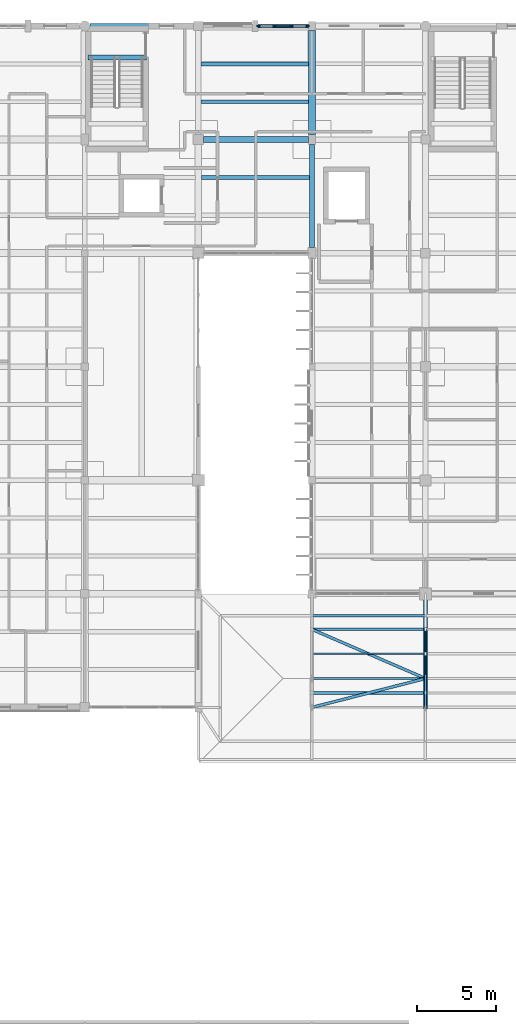
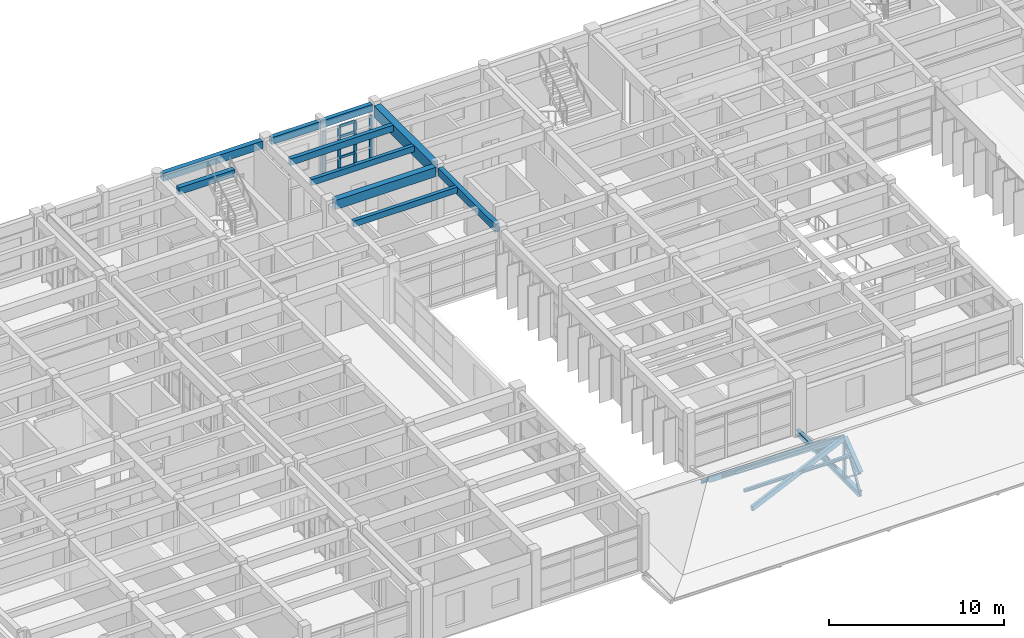
# One storey, part 24 of 100: 22 members, 10 beams, 1 element without a shape of its own.
"""IFC4 building model written with IfcOpenShell, lengths in metres."""

from ifc_helpers import new_model, si_unit, direction, frame, origin, origin_2d, place, context, subcontext, project, spatial, rectangle, hollow_rectangle, hollow_circle, i_section, extrude, material, material_profile, profile_set, type_object, element, aggregate, save


model = new_model("IFC4")

# Units and contexts
model_context = context("Model", 3, precision=1e-05, world=origin(), true_north=direction((0.0, 1.0)))
body_context = subcontext(model_context, "Body", "Model", "MODEL_VIEW")
ifc_project = project(units=[si_unit("LENGTHUNIT", "METRE"), si_unit("AREAUNIT", "SQUARE_METRE"), si_unit("VOLUMEUNIT", "CUBIC_METRE"), si_unit("PLANEANGLEUNIT", "RADIAN"), si_unit("MASSUNIT", "GRAM", prefix="KILO")], contexts=[model_context])

# Site, building, storey
site_placement = place(None, origin())
site = spatial("IfcSite", under=ifc_project, at=site_placement, CompositionType="ELEMENT")
building_placement = place(site_placement, origin())
building = spatial("IfcBuilding", under=site, at=building_placement, Name="Steenspoor Specialist Clinic", CompositionType="ELEMENT")
storey_placement = place(building_placement, frame((0.0, 0.0, 9.0)))
storey = spatial("IfcBuildingStorey", under=building, at=storey_placement, Name="L02", CompositionType="ELEMENT", Elevation=9.0)

# Beams
ifc_material_1 = material(Name="Concrete C35/45", Category="concrete")
ifc_material_profile_1 = material_profile(ifc_material_1, rectangle(XDim=0.300048828125, YDim=0.47998046875, at=origin_2d()), Name="RC-BM-300X480")
ifc_profile_set_1 = profile_set([ifc_material_profile_1], Name="Concrete C35/45")
beam_type_1 = type_object("IfcBeamType", Name="BM-RC-300X480", PredefinedType="BEAM", material=ifc_profile_set_1)
beam_1_placement = place(storey_placement, frame((59.800048828125, 106.35009765625, 3.9599609375), z_axis=(1.0, 0.0, 0.0), x_axis=(0.0, 1.0, 0.0)))
element("IfcBeam", 1, at=beam_1_placement, inside=storey, type_object=beam_type_1, Name="Stair Well Trimmer Beam ST-V4A L02", PredefinedType="BEAM", context=body_context, shape_type="SweptSolid", body=[
    extrude(rectangle(XDim=0.300048828125, YDim=0.47998046875, at=origin_2d()), origin(), (0.0, 0.0, 1.0), 3.699951171875),
])
ifc_material_profile_2 = material_profile(ifc_material_1, rectangle(XDim=0.300048828125, YDim=0.550048828125, at=origin_2d()), Name="RC-BM-300X550")
ifc_profile_set_2 = profile_set([ifc_material_profile_2], Name="Concrete C35/45")
beam_type_2 = type_object("IfcBeamType", Name="BM-RC-300X550", PredefinedType="BEAM", material=ifc_profile_set_2)
beam_2_placement = place(storey_placement, frame((74.0, 94.294921875, 3.675048828125), z_axis=(0.0, 1.0, 0.0), x_axis=(-1.0, 0.0, 0.0)))
element("IfcBeam", 2, at=beam_2_placement, inside=storey, type_object=beam_type_2, Name="BM-V4-L02-Y0704", PredefinedType="BEAM", context=body_context, shape_type="SweptSolid", body=[
    extrude(rectangle(XDim=0.300048828125, YDim=0.550048828125, at=origin_2d()), origin(), (0.0, 0.0, 1.0), 6.53515625),
])
ifc_material_profile_3 = material_profile(ifc_material_1, rectangle(XDim=0.39990234375, YDim=0.64990234375, at=origin_2d()), Name="RC-BM-400X650")
ifc_profile_set_3 = profile_set([ifc_material_profile_3], Name="Concrete C35/45")
beam_type_3 = type_object("IfcBeamType", Name="BM-RC-400X650", PredefinedType="BEAM", material=ifc_profile_set_3)
beam_3_placement = place(storey_placement, frame((67.1201171875, 101.14990234375, 3.625), z_axis=(1.0, 0.0, 0.0), x_axis=(0.0, 1.0, 0.0)))
element("IfcBeam", 3, at=beam_3_placement, inside=storey, type_object=beam_type_3, Name="BM-V4-L02-X0671", PredefinedType="BEAM", context=body_context, shape_type="SweptSolid", body=[
    extrude(rectangle(XDim=0.39990234375, YDim=0.64990234375, at=origin_2d()), origin(), (0.0, 0.0, 1.0), 6.659912109375),
])
ifc_material_profile_4 = material_profile(ifc_material_1, rectangle(XDim=0.449951171875, YDim=0.800048828125, at=origin_2d()), Name="RC-BM-450X800")
ifc_profile_set_4 = profile_set([ifc_material_profile_4], Name="Concrete C35/45")
beam_type_4 = type_object("IfcBeamType", Name="BM-RC-450X800", PredefinedType="BEAM", material=ifc_profile_set_4)
beam_4_placement = place(storey_placement, frame((74.0, 101.469970703125, 3.550048828125), z_axis=(0.0, 1.0, 0.0), x_axis=(-1.0, 0.0, 0.0)))
element("IfcBeam", 4, at=beam_4_placement, inside=storey, type_object=beam_type_4, Name="BM-V4-L02-Y0705", PredefinedType="BEAM", context=body_context, shape_type="SweptSolid", body=[
    extrude(rectangle(XDim=0.449951171875, YDim=0.800048828125, at=origin_2d()), origin(), (0.0, 0.0, 1.0), 6.5849609375),
])
ifc_material_2 = material(Name="Steel A992 Grade 50", Category="steel")
ifc_material_profile_5 = material_profile(ifc_material_2, i_section(OverallWidth=0.257080078125, OverallDepth=0.363037109375, WebThickness=0.012939453125, FlangeThickness=0.021728515625, at=origin_2d()), Name="W360X122")
ifc_profile_set_5 = profile_set([ifc_material_profile_5], Name="Steel A992 Grade 50")
beam_type_5 = type_object("IfcBeamType", Name="BM-ST-W360X122", PredefinedType="BEAM", material=ifc_profile_set_5)
beam_5_placement = place(storey_placement, frame((81.199951171875, 65.14990234375, 0.201416015625), z_axis=(0.0, 1.0, 0.0), x_axis=(-1.0, 0.0, 0.0)))
element("IfcBeam", 5, at=beam_5_placement, inside=storey, type_object=beam_type_5, Name="ROOF TRUSS Bottom Tie Chord V4T1 3", PredefinedType="BEAM", context=body_context, shape_type="SweptSolid", body=[
    extrude(i_section(OverallWidth=0.257080078125, OverallDepth=0.363037109375, WebThickness=0.012939453125, FlangeThickness=0.021728515625, at=origin_2d()), origin(), (0.0, 0.0, 1.0), 7.2001953125),
])

# Curtain wall, members
ifc_material_3 = material(Name="Thermally broken aluminium and low-emissivity glass", Category="aluminium")
curtain_wall_type = type_object("IfcCurtainWallType", Name="CW-TYP-480X355", PredefinedType="USERDEFINED", material=ifc_material_3)
curtain_wall_placement = place(storey_placement, origin())
curtain_wall = element("IfcCurtainWall", 6, at=curtain_wall_placement, inside=storey, type_object=curtain_wall_type, Name="Unitised Curtain Wall CW-V4-L02-084", ObjectType="UNITISED GLAZING", PredefinedType="USERDEFINED")
ifc_material_4 = material(Name="Thermally broken aluminium 6063-T6", Category="aluminium")
ifc_material_profile_6 = material_profile(ifc_material_4, rectangle(XDim=0.080078125, YDim=0.219970703125, at=origin_2d()), Name="CWM-80X220")
ifc_profile_set_6 = profile_set([ifc_material_profile_6], Name="Thermally broken aluminium 6063-T6")
member_type_1 = type_object("IfcMemberType", Name="CW-MULL-80X220", PredefinedType="MULLION", material=ifc_profile_set_6)
member_1_placement = place(storey_placement, frame((70.610107421875, 108.35009765625, 0.0), z_axis=(0.0, 0.0, 1.0), x_axis=(0.0, 1.0, 0.0)))
member_1 = element("IfcMember", 7, at=member_1_placement, type_object=member_type_1, Name="CW-12 mullion 1", PredefinedType="MULLION", context=body_context, shape_type="SweptSolid", body=[
    extrude(rectangle(XDim=0.080078125, YDim=0.219970703125, at=origin_2d()), origin(), (0.0, 0.0, 1.0), 3.1298828125),
])
member_2_placement = place(storey_placement, frame((71.638427734375, 108.35009765625, 0.0), z_axis=(0.0, 0.0, 1.0), x_axis=(0.0, 1.0, 0.0)))
member_2 = element("IfcMember", 8, at=member_2_placement, type_object=member_type_1, Name="CW-12 mullion 2", PredefinedType="MULLION", context=body_context, shape_type="SweptSolid", body=[
    extrude(rectangle(XDim=0.080078125, YDim=0.219970703125, at=origin_2d()), origin(), (0.0, 0.0, 1.0), 3.1298828125),
])
member_3_placement = place(storey_placement, frame((72.706787109375, 108.35009765625, 0.0), z_axis=(0.0, 0.0, 1.0), x_axis=(0.0, 1.0, 0.0)))
member_3 = element("IfcMember", 9, at=member_3_placement, type_object=member_type_1, Name="CW-12 mullion 3", PredefinedType="MULLION", context=body_context, shape_type="SweptSolid", body=[
    extrude(rectangle(XDim=0.080078125, YDim=0.219970703125, at=origin_2d()), origin(), (0.0, 0.0, 1.0), 3.1298828125),
])
member_4_placement = place(storey_placement, frame((73.735107421875, 108.35009765625, 0.0), z_axis=(0.0, 0.0, 1.0), x_axis=(0.0, 1.0, 0.0)))
member_4 = element("IfcMember", 10, at=member_4_placement, type_object=member_type_1, Name="CW-12 mullion 4", PredefinedType="MULLION", context=body_context, shape_type="SweptSolid", body=[
    extrude(rectangle(XDim=0.080078125, YDim=0.219970703125, at=origin_2d()), origin(), (0.0, 0.0, 1.0), 3.1298828125),
])
ifc_material_profile_7 = material_profile(ifc_material_4, rectangle(XDim=0.090087890625, YDim=0.175048828125, at=origin_2d()), Name="CWT-90X175")
ifc_profile_set_7 = profile_set([ifc_material_profile_7], Name="Thermally broken aluminium 6063-T6")
member_type_2 = type_object("IfcMemberType", Name="CW-TRAN-90X175", PredefinedType="USERDEFINED", material=ifc_profile_set_7)
member_5_placement = place(storey_placement, frame((71.67822265625, 108.35009765625, 0.044921875), z_axis=(1.0, 0.0, 0.0), x_axis=(0.0, 1.0, 0.0)))
member_5 = element("IfcMember", 11, at=member_5_placement, type_object=member_type_2, Name="CW-12 transom 2.1", ObjectType="TRANSOM", PredefinedType="USERDEFINED", context=body_context, shape_type="SweptSolid", body=[
    extrude(rectangle(XDim=0.090087890625, YDim=0.175048828125, at=origin_2d()), origin(), (0.0, 0.0, 1.0), 0.988525390625),
])
member_6_placement = place(storey_placement, frame((71.67822265625, 108.35009765625, 0.89990234375), z_axis=(1.0, 0.0, 0.0), x_axis=(0.0, 1.0, 0.0)))
member_6 = element("IfcMember", 12, at=member_6_placement, type_object=member_type_2, Name="CW-12 transom 2.2", ObjectType="TRANSOM", PredefinedType="USERDEFINED", context=body_context, shape_type="SweptSolid", body=[
    extrude(rectangle(XDim=0.090087890625, YDim=0.175048828125, at=origin_2d()), origin(), (0.0, 0.0, 1.0), 0.988525390625),
])
member_7_placement = place(storey_placement, frame((71.67822265625, 108.35009765625, 2.35009765625), z_axis=(1.0, 0.0, 0.0), x_axis=(0.0, 1.0, 0.0)))
member_7 = element("IfcMember", 13, at=member_7_placement, type_object=member_type_2, Name="CW-12 transom 2.3", ObjectType="TRANSOM", PredefinedType="USERDEFINED", context=body_context, shape_type="SweptSolid", body=[
    extrude(rectangle(XDim=0.090087890625, YDim=0.175048828125, at=origin_2d()), origin(), (0.0, 0.0, 1.0), 0.988525390625),
])
member_8_placement = place(storey_placement, frame((71.67822265625, 108.35009765625, 3.0849609375), z_axis=(1.0, 0.0, 0.0), x_axis=(0.0, 1.0, 0.0)))
member_8 = element("IfcMember", 14, at=member_8_placement, type_object=member_type_2, Name="CW-12 transom 2.4", ObjectType="TRANSOM", PredefinedType="USERDEFINED", context=body_context, shape_type="SweptSolid", body=[
    extrude(rectangle(XDim=0.090087890625, YDim=0.175048828125, at=origin_2d()), origin(), (0.0, 0.0, 1.0), 0.988525390625),
])
aggregate(curtain_wall, [member_1, member_2, member_3, member_4, member_5, member_6, member_7, member_8])

# Beams
ifc_material_profile_8 = material_profile(ifc_material_1, rectangle(XDim=0.239990234375, YDim=0.419921875, at=origin_2d()), Name="RC-JT-240X420")
ifc_profile_set_8 = profile_set([ifc_material_profile_8], Name="Concrete C35/45")
beam_type_6 = type_object("IfcBeamType", Name="JT-RC-240X420", PredefinedType="JOIST", material=ifc_profile_set_8)
beam_6_placement = place(storey_placement, frame((66.9951171875, 98.75, 3.739990234375), z_axis=(1.0, 0.0, 0.0), x_axis=(0.0, 1.0, 0.0)))
element("IfcBeam", 15, at=beam_6_placement, inside=storey, type_object=beam_type_6, Name="JT-V4-L02-0757", PredefinedType="JOIST", context=body_context, shape_type="SweptSolid", body=[
    extrude(rectangle(XDim=0.239990234375, YDim=0.419921875, at=origin_2d()), origin(), (0.0, 0.0, 1.0), 6.85986328125),
])
beam_7_placement = place(storey_placement, frame((66.969970703125, 103.550048828125, 3.739990234375), z_axis=(1.0, 0.0, 0.0), x_axis=(0.0, 1.0, 0.0)))
element("IfcBeam", 16, at=beam_7_placement, inside=storey, type_object=beam_type_6, Name="JT-V4-L02-0758", PredefinedType="JOIST", context=body_context, shape_type="SweptSolid", body=[
    extrude(rectangle(XDim=0.239990234375, YDim=0.419921875, at=origin_2d()), origin(), (0.0, 0.0, 1.0), 6.81005859375),
])
ifc_material_profile_9 = material_profile(ifc_material_1, rectangle(XDim=0.260009765625, YDim=0.4599609375, at=origin_2d()), Name="RC-JT-260X460")
ifc_profile_set_9 = profile_set([ifc_material_profile_9], Name="Concrete C35/45")
beam_type_7 = type_object("IfcBeamType", Name="JT-RC-260X460", PredefinedType="JOIST", material=ifc_profile_set_9)
beam_8_placement = place(storey_placement, frame((66.969970703125, 105.949951171875, 3.719970703125), z_axis=(1.0, 0.0, 0.0), x_axis=(0.0, 1.0, 0.0)))
element("IfcBeam", 17, at=beam_8_placement, inside=storey, type_object=beam_type_7, Name="JT-V4-L02-0759", PredefinedType="JOIST", context=body_context, shape_type="SweptSolid", body=[
    extrude(rectangle(XDim=0.260009765625, YDim=0.4599609375, at=origin_2d()), origin(), (0.0, 0.0, 1.0), 6.81005859375),
])

# Members
ifc_material_5 = material(Name="Steel A500 Grade C", Category="steel")
ifc_material_profile_10 = material_profile(ifc_material_5, hollow_circle(Radius=0.084228515625, WallThickness=0.007080078125, at=origin_2d()), Name="CHS168X7.1")
ifc_profile_set_10 = profile_set([ifc_material_profile_10], Name="Steel A500 Grade C")
member_type_3 = type_object("IfcMemberType", Name="MEM-BRACE-CHS168", PredefinedType="BRACE", material=ifc_profile_set_10)
member_9_placement = place(storey_placement, frame((81.199951171875, 66.985107421875, 3.06201171875), z_axis=(0.0, 0.736542800639, -0.676390939344), x_axis=(-1.0, 0.0, 0.0)))
element("IfcMember", 18, at=member_9_placement, inside=storey, type_object=member_type_3, Name="ROOF TRUSS Web Brace V4T1 3.2", PredefinedType="BRACE", context=body_context, shape_type="SweptSolid", body=[
    extrude(hollow_circle(Radius=0.084228515625, WallThickness=0.007080078125, at=origin_2d()), origin(), (0.0, 0.0, 1.0), 4.229248046875),
])
ifc_material_profile_11 = material_profile(ifc_material_5, hollow_rectangle(XDim=0.126953125, YDim=0.126953125, WallThickness=0.005859375, at=origin_2d()), Name="HSS127X127X6.4")
ifc_profile_set_11 = profile_set([ifc_material_profile_11], Name="Steel A500 Grade C")
member_type_4 = type_object("IfcMemberType", Name="MEM-BRACE-H127B", PredefinedType="BRACE", material=ifc_profile_set_11)
member_10_placement = place(storey_placement, frame((81.199951171875, 65.14990234375, 0.201416015625), z_axis=(0.0, 0.539976778775, 0.841679914447), x_axis=(-1.0, 0.0, 0.0)))
element("IfcMember", 19, at=member_10_placement, inside=storey, type_object=member_type_4, Name="ROOF TRUSS Web Brace V4T1 3.1", PredefinedType="BRACE", context=body_context, shape_type="SweptSolid", body=[
    extrude(hollow_rectangle(XDim=0.126953125, YDim=0.126953125, WallThickness=0.005859375, at=origin_2d()), origin(), (0.0, 0.0, 1.0), 3.398681640625),
])
ifc_material_profile_12 = material_profile(ifc_material_2, i_section(OverallWidth=0.257080078125, OverallDepth=0.363037109375, WebThickness=0.012939453125, FlangeThickness=0.021728515625, at=origin_2d()), Name="W360X122")
ifc_profile_set_12 = profile_set([ifc_material_profile_12], Name="Steel A992 Grade 50")
member_type_5 = type_object("IfcMemberType", Name="MEM-CHORD-W360", PredefinedType="CHORD", material=ifc_profile_set_12)
member_11_placement = place(storey_placement, frame((81.199951171875, 65.14990234375, 1.6513671875), z_axis=(0.0, 0.792843510574, 0.609425276586), x_axis=(-1.0, 0.0, 0.0)))
element("IfcMember", 20, at=member_11_placement, inside=storey, type_object=member_type_5, Name="ROOF TRUSS Top Chord V4T1 3.1", PredefinedType="CHORD", context=body_context, shape_type="SweptSolid", body=[
    extrude(i_section(OverallWidth=0.257080078125, OverallDepth=0.363037109375, WebThickness=0.012939453125, FlangeThickness=0.021728515625, at=origin_2d()), origin(), (0.0, 0.0, 1.0), 2.314697265625),
])
member_12_placement = place(storey_placement, frame((81.199951171875, 66.985107421875, 3.06201171875), z_axis=(0.0, 0.792792580514, -0.609491529294), x_axis=(-1.0, 0.0, 0.0)))
element("IfcMember", 21, at=member_12_placement, inside=storey, type_object=member_type_5, Name="ROOF TRUSS Top Chord V4T1 3.2", PredefinedType="CHORD", context=body_context, shape_type="SweptSolid", body=[
    extrude(i_section(OverallWidth=0.257080078125, OverallDepth=0.363037109375, WebThickness=0.012939453125, FlangeThickness=0.021728515625, at=origin_2d()), origin(), (0.0, 0.0, 1.0), 3.92919921875),
])
ifc_material_profile_13 = material_profile(ifc_material_5, hollow_rectangle(XDim=0.1015625, YDim=0.15234375, WallThickness=0.005859375, at=origin_2d()), Name="HSS152X102X6.4")
ifc_profile_set_13 = profile_set([ifc_material_profile_13], Name="Steel A500 Grade C")
member_type_6 = type_object("IfcMemberType", Name="MEM-PURLIN-H152", PredefinedType="PURLIN", material=ifc_profile_set_13)
member_13_placement = place(storey_placement, frame((74.0, 66.985107421875, 3.129638671875), z_axis=(1.0, 0.0, 0.0), x_axis=(0.0, 1.0, 0.0)))
element("IfcMember", 22, at=member_13_placement, inside=storey, type_object=member_type_6, Name="ROOF TRUSS Purlin 216", PredefinedType="PURLIN", context=body_context, shape_type="SweptSolid", body=[
    extrude(hollow_rectangle(XDim=0.1015625, YDim=0.15234375, WallThickness=0.005859375, at=origin_2d()), origin(), (0.0, 0.0, 1.0), 7.199951171875),
])
ifc_material_profile_14 = material_profile(ifc_material_2, i_section(OverallWidth=0.10205078125, OverallDepth=0.159912109375, WebThickness=0.006591796875, FlangeThickness=0.01025390625, at=origin_2d()), Name="W150X24")
ifc_profile_set_14 = profile_set([ifc_material_profile_14], Name="Steel A992 Grade 50")
member_type_7 = type_object("IfcMemberType", Name="MEM-PURLIN-W150", PredefinedType="PURLIN", material=ifc_profile_set_14)
member_14_placement = place(storey_placement, frame((74.0, 68.54248046875, 1.928466796875), z_axis=(1.0, 0.0, 0.0), x_axis=(0.0, 1.0, 0.0)))
element("IfcMember", 23, at=member_14_placement, inside=storey, type_object=member_type_7, Name="ROOF TRUSS Purlin 217", PredefinedType="PURLIN", context=body_context, shape_type="SweptSolid", body=[
    extrude(i_section(OverallWidth=0.10205078125, OverallDepth=0.159912109375, WebThickness=0.006591796875, FlangeThickness=0.01025390625, at=origin_2d()), origin(), (0.0, 0.0, 1.0), 7.199951171875),
])
ifc_material_profile_15 = material_profile(ifc_material_2, i_section(OverallWidth=0.1650390625, OverallDepth=0.200927734375, WebThickness=0.006103515625, FlangeThickness=0.01025390625, at=origin_2d()), Name="W200X36")
ifc_profile_set_15 = profile_set([ifc_material_profile_15], Name="Steel A992 Grade 50")
member_type_8 = type_object("IfcMemberType", Name="MEM-PURLIN-W200", PredefinedType="PURLIN", material=ifc_profile_set_15)
for number, where, z_axis, x_axis, name in (
    (24, (74.0, 70.969970703125, 0.0439453125), (1.0, 0.0, 0.0), (0.0, 1.0, 0.0), "ROOF TRUSS Knuckle Purlin 203"),
    (25, (74.0, 66.0673828125, 2.39990234375), (1.0, 0.0, 0.0), (0.0, 1.0, 0.0), "ROOF TRUSS Purlin 215"),
    (26, (74.0, 70.10009765625, 0.710693359375), (1.0, 0.0, 0.0), (0.0, 1.0, 0.0), "ROOF TRUSS Purlin 218"),
):
    element("IfcMember", number, at=place(storey_placement, frame(where, z_axis=z_axis, x_axis=x_axis)), inside=storey, type_object=member_type_8, Name=name, PredefinedType="PURLIN", context=body_context, shape_type="SweptSolid", body=[
        extrude(i_section(OverallWidth=0.1650390625, OverallDepth=0.200927734375, WebThickness=0.006103515625, FlangeThickness=0.01025390625, at=origin_2d()), origin(), (0.0, 0.0, 1.0), 7.199951171875),
    ])
ifc_material_6 = material(Name="Glulam GL28h", Category="wood")
ifc_material_profile_16 = material_profile(ifc_material_6, rectangle(XDim=0.139892578125, YDim=0.219970703125, at=origin_2d()), Name="GL28H-140X220")
ifc_profile_set_16 = profile_set([ifc_material_profile_16], Name="Glulam GL28h")
member_type_9 = type_object("IfcMemberType", Name="MEM-RAFTER-GL220", PredefinedType="RAFTER", material=ifc_profile_set_16)
member_15_placement = place(storey_placement, frame((81.199951171875, 66.985107421875, 0.179931640625), z_axis=(0.0, 0.0, 1.0), x_axis=(1.0, 0.0, 0.0)))
element("IfcMember", 27, at=member_15_placement, inside=storey, type_object=member_type_9, Name="ROOF TRUSS Hip King Post V4T1 W", PredefinedType="RAFTER", context=body_context, shape_type="SweptSolid", body=[
    extrude(rectangle(XDim=0.139892578125, YDim=0.219970703125, at=origin_2d()), origin(), (0.0, 0.0, 1.0), 2.921875),
])
ifc_material_profile_17 = material_profile(ifc_material_6, rectangle(XDim=0.179931640625, YDim=0.360107421875, at=origin_2d()), Name="GL28H-180X360")
ifc_profile_set_17 = profile_set([ifc_material_profile_17], Name="Glulam GL28h")
member_type_10 = type_object("IfcMemberType", Name="MEM-RAFTER-GL360", PredefinedType="RAFTER", material=ifc_profile_set_17)
member_16_placement = place(storey_placement, frame((74.0, 65.14990234375, 1.714599609375), z_axis=(0.95346620607, 0.243030262488, 0.17843342007), x_axis=(-0.246994025585, 0.969017002599, 0.0)))
element("IfcMember", 28, at=member_16_placement, inside=storey, type_object=member_type_10, Name="ROOF TRUSS Hip Rafter V4T1 229", PredefinedType="RAFTER", context=body_context, shape_type="SweptSolid", body=[
    extrude(rectangle(XDim=0.179931640625, YDim=0.360107421875, at=origin_2d()), origin(), (0.0, 0.0, 1.0), 7.55126953125),
])
member_17_placement = place(storey_placement, frame((74.0, 70.10009765625, 0.730712890625), z_axis=(0.879762324171, -0.380620782412, 0.284861497864), x_axis=(0.397071996729, 0.917787464184, 0.0)))
element("IfcMember", 29, at=member_17_placement, inside=storey, type_object=member_type_10, Name="ROOF TRUSS Hip Rafter V4T1 230", PredefinedType="RAFTER", context=body_context, shape_type="SweptSolid", body=[
    extrude(rectangle(XDim=0.179931640625, YDim=0.360107421875, at=origin_2d()), origin(), (0.0, 0.0, 1.0), 8.18408203125),
])
ifc_material_profile_18 = material_profile(ifc_material_5, hollow_circle(Radius=0.05712890625, WallThickness=0.006103515625, at=origin_2d()), Name="CHS114X6.0")
ifc_profile_set_18 = profile_set([ifc_material_profile_18], Name="Steel A500 Grade C")
member_type_11 = type_object("IfcMemberType", Name="MEM-STRUT-CHS114", PredefinedType="STRUT", material=ifc_profile_set_18)
member_18_placement = place(storey_placement, frame((81.199951171875, 66.985107421875, 0.201416015625), z_axis=(0.0, 0.989002775337, 0.147896958644), x_axis=(-1.0, 0.0, 0.0)))
element("IfcMember", 30, at=member_18_placement, inside=storey, type_object=member_type_11, Name="ROOF TRUSS Web Strut V4T1 3.2", PredefinedType="STRUT", context=body_context, shape_type="SweptSolid", body=[
    extrude(hollow_circle(Radius=0.05712890625, WallThickness=0.006103515625, at=origin_2d()), origin(), (0.0, 0.0, 1.0), 3.149658203125),
])
ifc_material_profile_19 = material_profile(ifc_material_5, hollow_rectangle(XDim=0.1015625, YDim=0.1015625, WallThickness=0.005859375, at=origin_2d()), Name="HSS102X102X6.4")
ifc_profile_set_19 = profile_set([ifc_material_profile_19], Name="Steel A500 Grade C")
member_type_12 = type_object("IfcMemberType", Name="MEM-STRUT-H102", PredefinedType="STRUT", material=ifc_profile_set_19)
member_19_placement = place(storey_placement, frame((81.199951171875, 65.14990234375, 1.6513671875), z_axis=(0.0, 0.784652924731, -0.619935309296), x_axis=(-1.0, 0.0, 0.0)))
element("IfcMember", 31, at=member_19_placement, inside=storey, type_object=member_type_12, Name="ROOF TRUSS Web Strut V4T1 3.1", PredefinedType="STRUT", context=body_context, shape_type="SweptSolid", body=[
    extrude(hollow_rectangle(XDim=0.1015625, YDim=0.1015625, WallThickness=0.005859375, at=origin_2d()), origin(), (0.0, 0.0, 1.0), 2.3388671875),
])

# Beams
ifc_material_profile_20 = material_profile(ifc_material_1, rectangle(XDim=0.280029296875, YDim=0.5, at=origin_2d()), Name="RC-SP-280X500")
ifc_profile_set_20 = profile_set([ifc_material_profile_20], Name="Concrete C35/45")
beam_type_8 = type_object("IfcBeamType", Name="SP-RC-280X500", PredefinedType="SPANDREL", material=ifc_profile_set_20)
beam_9_placement = place(storey_placement, frame((67.094970703125, 108.35009765625, 3.699951171875), z_axis=(1.0, 0.0, 0.0), x_axis=(0.0, 1.0, 0.0)))
element("IfcBeam", 32, at=beam_9_placement, inside=storey, type_object=beam_type_8, Name="BM-V4-L02-X0678", PredefinedType="SPANDREL", context=body_context, shape_type="SweptSolid", body=[
    extrude(rectangle(XDim=0.280029296875, YDim=0.5, at=origin_2d()), origin(), (0.0, 0.0, 1.0), 6.68505859375),
])
ifc_material_profile_21 = material_profile(ifc_material_1, rectangle(XDim=0.320068359375, YDim=0.5400390625, at=origin_2d()), Name="RC-SP-320X540")
ifc_profile_set_21 = profile_set([ifc_material_profile_21], Name="Concrete C35/45")
beam_type_9 = type_object("IfcBeamType", Name="SP-RC-320X540", PredefinedType="SPANDREL", material=ifc_profile_set_21)
beam_10_placement = place(storey_placement, frame((59.919921875, 108.35009765625, 3.679931640625), z_axis=(1.0, 0.0, 0.0), x_axis=(0.0, 1.0, 0.0)))
element("IfcBeam", 33, at=beam_10_placement, inside=storey, type_object=beam_type_9, Name="BM-V4-L02-X0677", PredefinedType="SPANDREL", context=body_context, shape_type="SweptSolid", body=[
    extrude(rectangle(XDim=0.320068359375, YDim=0.5400390625, at=origin_2d()), origin(), (0.0, 0.0, 1.0), 6.5849609375),
])

save(model, "model.ifc")
